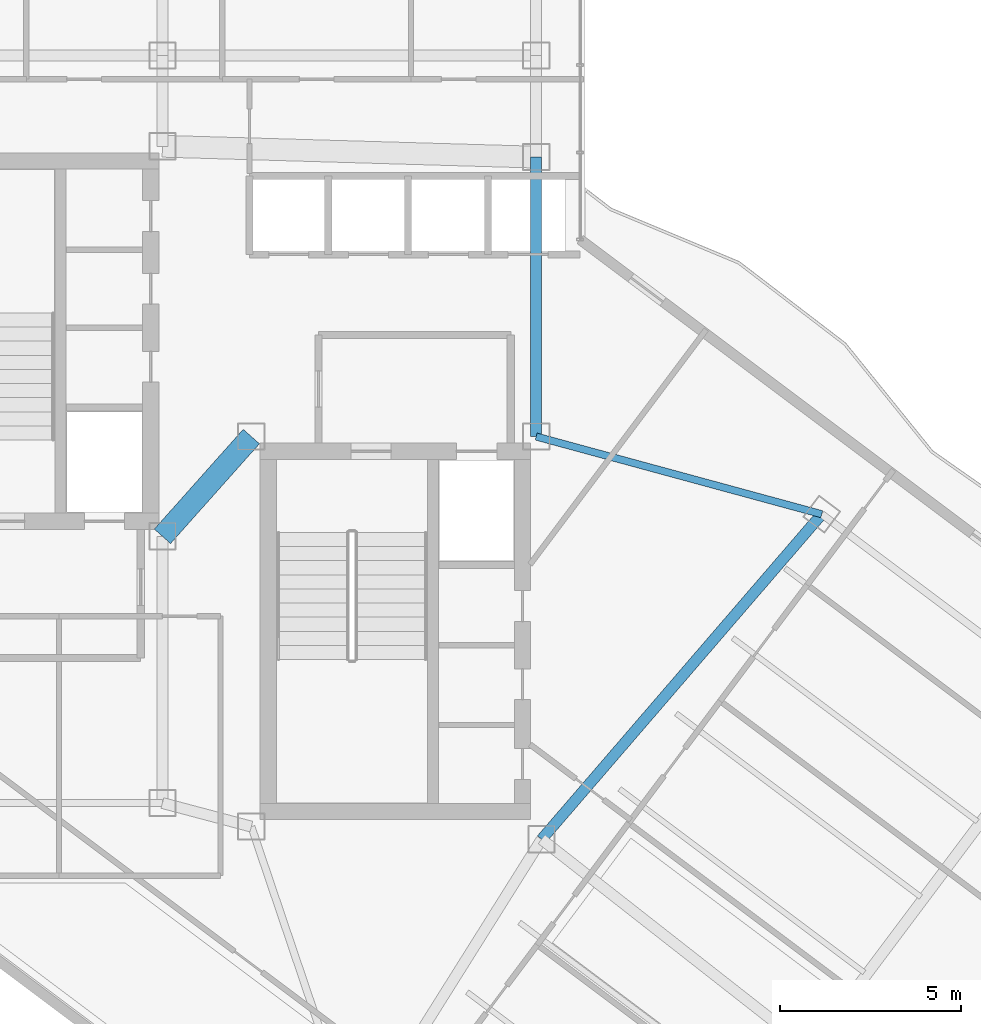
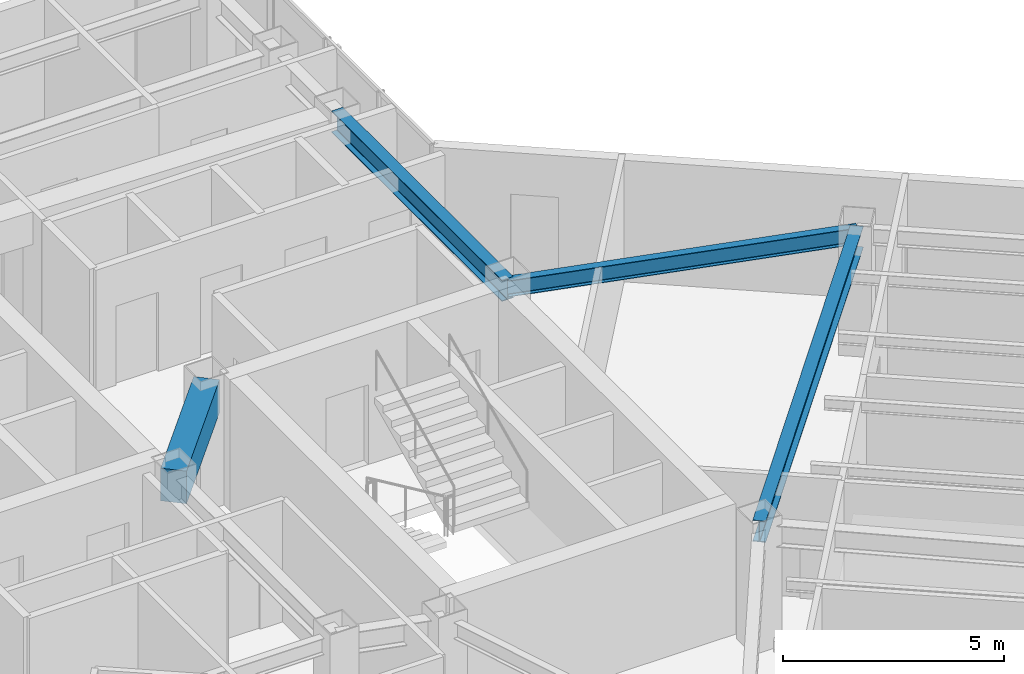
# One storey, part 9 of 26: 4 beams.
"""IFC4 building model written with IfcOpenShell, lengths in metres."""

from ifc_helpers import new_model, si_unit, direction, frame, origin, origin_2d, place, context, subcontext, project, spatial, rectangle, i_section, extrude, material, material_profile, profile_set, type_object, element, save


model = new_model("IFC4")

# Units and contexts
model_context = context("Model", 3, precision=1e-05, world=origin(), true_north=direction((0.0, 1.0)))
body_context = subcontext(model_context, "Body", "Model", "MODEL_VIEW")
ifc_project = project(units=[si_unit("LENGTHUNIT", "METRE"), si_unit("AREAUNIT", "SQUARE_METRE"), si_unit("VOLUMEUNIT", "CUBIC_METRE"), si_unit("PLANEANGLEUNIT", "RADIAN"), si_unit("MASSUNIT", "GRAM", prefix="KILO")], contexts=[model_context])

# Site, building, storey
site_placement = place(None, origin())
site = spatial("IfcSite", under=ifc_project, at=site_placement, CompositionType="ELEMENT")
building_placement = place(site_placement, origin())
building = spatial("IfcBuilding", under=site, at=building_placement, Name="Hatsunagi Terrace Concourse", CompositionType="ELEMENT")
storey_placement = place(building_placement, frame((0.0, 0.0, 195.14990234375)))
storey = spatial("IfcBuildingStorey", under=building, at=storey_placement, Name="L51", CompositionType="ELEMENT", Elevation=195.14990234375)

# Beams
ifc_material_1 = material(Name="Concrete Fc42", Category="concrete")
ifc_material_profile_1 = material_profile(ifc_material_1, rectangle(XDim=0.60009765625, YDim=0.89990234375, at=origin_2d()), Name="RC-600x900")
ifc_profile_set_1 = profile_set([ifc_material_profile_1], Name="Concrete Fc42")
beam_type_1 = type_object("IfcBeamType", Name="CoreCouplingBeam_RC_600x900", PredefinedType="BEAM", material=ifc_profile_set_1)
beam_1_placement = place(storey_placement, frame((33.35009765625, 32.550048828125, 2.900146484375), z_axis=(0.665198651008, 0.746666427997, 0.0), x_axis=(-0.746666427997, 0.665198651008, 0.0)))
element("IfcBeam", 1, at=beam_1_placement, inside=storey, type_object=beam_type_1, Name="Beam CB-03 CB-L51-1", PredefinedType="BEAM", context=body_context, shape_type="SweptSolid", body=[
    extrude(rectangle(XDim=0.60009765625, YDim=0.89990234375, at=origin_2d()), origin(), (0.0, 0.0, 1.0), 3.68310546875),
])
ifc_material_2 = material(Name="Steel SN490B", Category="steel")
ifc_material_profile_2 = material_profile(ifc_material_2, i_section(OverallWidth=0.300048828125, OverallDepth=0.587890625, WebThickness=0.011962890625, FlangeThickness=0.02001953125, FilletRadius=0.01806640625, at=origin_2d()), Name="H-588x300x12x20")
ifc_profile_set_2 = profile_set([ifc_material_profile_2], Name="Steel SN490B")
beam_type_2 = type_object("IfcBeamType", Name="OfficeHighGirder_H_588x300", PredefinedType="BEAM", material=ifc_profile_set_2)
beam_2_placement = place(storey_placement, frame((43.64990234375, 35.300048828125, 3.05615234375), z_axis=(0.0, 1.0, 0.0), x_axis=(-1.0, 0.0, 0.0)))
element("IfcBeam", 2, at=beam_2_placement, inside=storey, type_object=beam_type_2, Name="Beam G-06 BM-L51-CBK3", PredefinedType="BEAM", context=body_context, shape_type="SweptSolid", body=[
    extrude(i_section(OverallWidth=0.300048828125, OverallDepth=0.587890625, WebThickness=0.011962890625, FlangeThickness=0.02001953125, FilletRadius=0.01806640625, at=origin_2d()), origin(), (0.0, 0.0, 1.0), 7.699951171875),
])
beam_3_placement = place(storey_placement, frame((43.800048828125, 24.199951171875, 3.05615234375), z_axis=(0.652739101421, 0.757582777969, 0.0), x_axis=(-0.757582777969, 0.652739101421, 0.0)))
element("IfcBeam", 3, at=beam_3_placement, inside=storey, type_object=beam_type_2, Name="Beam G-06 BM-L51-SET-1B", PredefinedType="BEAM", context=body_context, shape_type="SweptSolid", body=[
    extrude(i_section(OverallWidth=0.300048828125, OverallDepth=0.587890625, WebThickness=0.011962890625, FlangeThickness=0.02001953125, FilletRadius=0.01806640625, at=origin_2d()), origin(), (0.0, 0.0, 1.0), 11.8271484375),
])
ifc_material_3 = material(Name="Steel SN490B", Category="steel")
ifc_material_profile_3 = material_profile(ifc_material_3, i_section(OverallWidth=0.199951171875, OverallDepth=0.449951171875, WebThickness=0.009033203125, FlangeThickness=0.013916015625, FilletRadius=0.01611328125, at=origin_2d()), Name="H-450x200x9x14")
ifc_profile_set_3 = profile_set([ifc_material_profile_3], Name="Steel SN490B")
beam_type_3 = type_object("IfcBeamType", Name="PerimeterSpandrel_H_450x200", PredefinedType="SPANDREL", material=ifc_profile_set_3)
beam_4_placement = place(storey_placement, frame((43.64990234375, 35.300048828125, 3.125), z_axis=(0.964958359286, -0.262403057994, 0.0), x_axis=(0.262403057994, 0.964958359286, 0.0)))
element("IfcBeam", 4, at=beam_4_placement, inside=storey, type_object=beam_type_3, Name="Beam SP-02 BM-L51-SE-NE0", PredefinedType="SPANDREL", context=body_context, shape_type="SweptSolid", body=[
    extrude(i_section(OverallWidth=0.199951171875, OverallDepth=0.449951171875, WebThickness=0.009033203125, FlangeThickness=0.013916015625, FilletRadius=0.01611328125, at=origin_2d()), origin(), (0.0, 0.0, 1.0), 8.156005859375),
])

save(model, "model.ifc")
